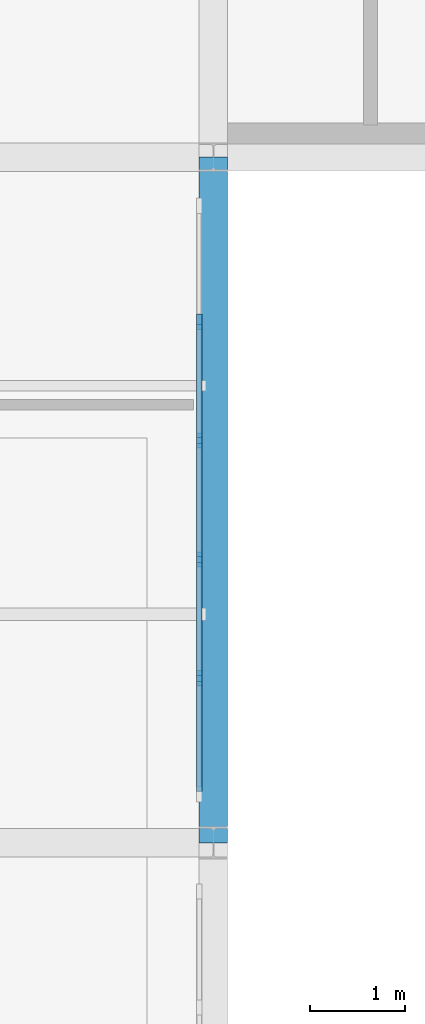
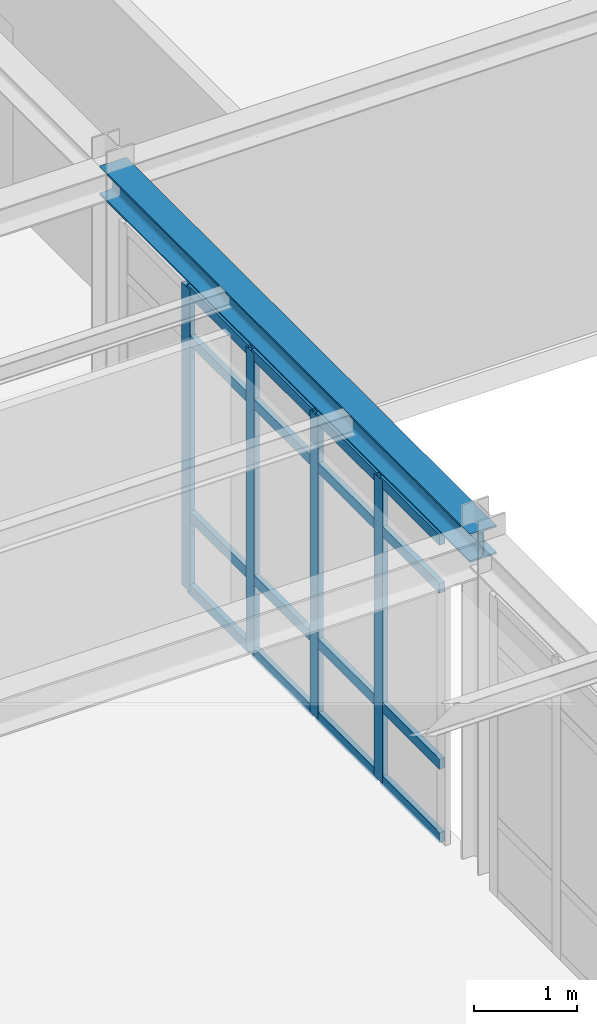
# One storey, part 42 of 90: 20 members, 1 beam, 1 element without a shape of its own.
"""IFC4 building model written with IfcOpenShell, lengths in metres."""

from ifc_helpers import new_model, si_unit, derived_unit, direction, frame, origin, origin_2d, place, context, subcontext, project, spatial, rectangle, i_section, extrude, material, layer, layer_set, material_profile, profile_set, type_object, element, aggregate, save


model = new_model("IFC4")

# Units and contexts
model_context = context("Model", 3, precision=1e-05, world=origin(), true_north=direction((0.0, 1.0)))
body_context = subcontext(model_context, "Body", "Model", "MODEL_VIEW")
ifc_project = project(units=[si_unit("LENGTHUNIT", "METRE"), si_unit("AREAUNIT", "SQUARE_METRE"), si_unit("VOLUMEUNIT", "CUBIC_METRE"), si_unit("PLANEANGLEUNIT", "RADIAN"), si_unit("MASSUNIT", "GRAM", prefix="KILO"), derived_unit("THERMALTRANSMITTANCEUNIT", [(si_unit("POWERUNIT", "WATT"), 1), (si_unit("AREAUNIT", "SQUARE_METRE"), -1), (si_unit("THERMODYNAMICTEMPERATUREUNIT", "KELVIN"), -1)])], contexts=[model_context])

# Site, building, storey
site_placement = place(None, origin())
site = spatial("IfcSite", under=ifc_project, at=site_placement, CompositionType="ELEMENT")
building_placement = place(site_placement, origin())
building = spatial("IfcBuilding", under=site, at=building_placement, Name="Yasenodar Specialist Clinic", CompositionType="ELEMENT")
storey_placement = place(building_placement, frame((0.0, 0.0, 9.0)))
storey = spatial("IfcBuildingStorey", under=building, at=storey_placement, Name="L02", CompositionType="ELEMENT", Elevation=9.0)

# Beam
ifc_material_1 = material(Name="Steel S355", Category="steel")
ifc_material_profile_1 = material_profile(ifc_material_1, i_section(OverallWidth=0.300048828125, OverallDepth=0.340087890625, WebThickness=0.011962890625, FlangeThickness=0.021484375, FilletRadius=0.027099609375, at=origin_2d()), Name="HEB 340")
ifc_profile_set_1 = profile_set([ifc_material_profile_1], Name="Steel S355")
beam_type = type_object("IfcBeamType", Name="BM-HEB340", PredefinedType="BEAM", material=ifc_profile_set_1)
beam_placement = place(storey_placement, frame((16.800048828125, 90.0, 3.780029296875), z_axis=(0.0, 1.0, 0.0), x_axis=(-1.0, 0.0, 0.0)))
element("IfcBeam", 1, at=beam_placement, inside=storey, type_object=beam_type, Name="L02 Primary N-S Girder", PredefinedType="BEAM", context=body_context, shape_type="SweptSolid", body=[
    extrude(i_section(OverallWidth=0.300048828125, OverallDepth=0.340087890625, WebThickness=0.011962890625, FlangeThickness=0.021484375, FilletRadius=0.027099609375, at=origin_2d()), origin(), (0.0, 0.0, 1.0), 7.199951171875),
])

# Curtain wall, members
ifc_material_2 = material(Name="Bronze Anodized Aluminium and Triple Low-E Glass", Category="aluminium")
ifc_layer = layer(ifc_material_2, 0.202880859375)
ifc_layer_set = layer_set([ifc_layer], Name="Bronze Anodized Aluminium and Triple Low-E Glass")
curtain_wall_type = type_object("IfcCurtainWallType", Name="CW-SYS-04", PredefinedType="USERDEFINED", material=ifc_layer_set)
curtain_wall_placement = place(storey_placement, origin())
curtain_wall = element("IfcCurtainWall", 2, at=curtain_wall_placement, inside=storey, type_object=curtain_wall_type, Name="L02 Unitised Curtain Wall 126", ObjectType="UNITISED CURTAIN WALL", PredefinedType="USERDEFINED")
ifc_material_3 = material(Name="Bronze Anodized Aluminium", Category="aluminium")
ifc_material_profile_2 = material_profile(ifc_material_3, rectangle(XDim=0.06005859375, YDim=0.159912109375, at=origin_2d()), Name="CW-MULL 60x160")
ifc_profile_set_2 = profile_set([ifc_material_profile_2], Name="Bronze Anodized Aluminium")
member_type_1 = type_object("IfcMemberType", Name="CW-MULL-160", PredefinedType="MULLION", material=ifc_profile_set_2)
member_1_placement = place(storey_placement, frame((16.64990234375, 95.471923828125, 0.0), z_axis=(0.0, 0.0, 1.0), x_axis=(1.0, 0.0, 0.0)))
member_1 = element("IfcMember", 3, at=member_1_placement, type_object=member_type_1, Name="CW-04 mullion 2", PredefinedType="MULLION", context=body_context, shape_type="SweptSolid", body=[
    extrude(rectangle(XDim=0.06005859375, YDim=0.159912109375, at=origin_2d()), origin(), (0.0, 0.0, 1.0), 3.587890625),
])
member_2_placement = place(storey_placement, frame((16.64990234375, 94.22412109375, 0.0), z_axis=(0.0, 0.0, 1.0), x_axis=(1.0, 0.0, 0.0)))
member_2 = element("IfcMember", 4, at=member_2_placement, type_object=member_type_1, Name="CW-04 mullion 3", PredefinedType="MULLION", context=body_context, shape_type="SweptSolid", body=[
    extrude(rectangle(XDim=0.06005859375, YDim=0.159912109375, at=origin_2d()), origin(), (0.0, 0.0, 1.0), 3.587890625),
])
member_3_placement = place(storey_placement, frame((16.64990234375, 92.97607421875, 0.0), z_axis=(0.0, 0.0, 1.0), x_axis=(1.0, 0.0, 0.0)))
member_3 = element("IfcMember", 5, at=member_3_placement, type_object=member_type_1, Name="CW-04 mullion 4", PredefinedType="MULLION", context=body_context, shape_type="SweptSolid", body=[
    extrude(rectangle(XDim=0.06005859375, YDim=0.159912109375, at=origin_2d()), origin(), (0.0, 0.0, 1.0), 3.587890625),
])
member_4_placement = place(storey_placement, frame((16.64990234375, 91.72802734375, 0.0), z_axis=(0.0, 0.0, 1.0), x_axis=(1.0, 0.0, 0.0)))
member_4 = element("IfcMember", 6, at=member_4_placement, type_object=member_type_1, Name="CW-04 mullion 5", PredefinedType="MULLION", context=body_context, shape_type="SweptSolid", body=[
    extrude(rectangle(XDim=0.06005859375, YDim=0.159912109375, at=origin_2d()), origin(), (0.0, 0.0, 1.0), 3.587890625),
])
ifc_material_profile_3 = material_profile(ifc_material_3, rectangle(XDim=0.06005859375, YDim=0.1201171875, at=origin_2d()), Name="CW-TRAN 60x120")
ifc_profile_set_3 = profile_set([ifc_material_profile_3], Name="Bronze Anodized Aluminium")
member_type_2 = type_object("IfcMemberType", Name="CW-TRAN-120", PredefinedType="USERDEFINED", material=ifc_profile_set_3)
member_5_placement = place(storey_placement, frame((16.64990234375, 95.44189453125, 0.030029296875), z_axis=(0.0, -1.0, 0.0), x_axis=(1.0, 0.0, 0.0)))
member_5 = element("IfcMember", 7, at=member_5_placement, type_object=member_type_2, Name="CW-04 transom 2.1", ObjectType="TRANSOM", PredefinedType="USERDEFINED", context=body_context, shape_type="SweptSolid", body=[
    extrude(rectangle(XDim=0.06005859375, YDim=0.1201171875, at=origin_2d()), origin(), (0.0, 0.0, 1.0), 1.18798828125),
])
member_6_placement = place(storey_placement, frame((16.64990234375, 95.44189453125, 0.89990234375), z_axis=(0.0, -1.0, 0.0), x_axis=(1.0, 0.0, 0.0)))
member_6 = element("IfcMember", 8, at=member_6_placement, type_object=member_type_2, Name="CW-04 transom 2.2", ObjectType="TRANSOM", PredefinedType="USERDEFINED", context=body_context, shape_type="SweptSolid", body=[
    extrude(rectangle(XDim=0.06005859375, YDim=0.1201171875, at=origin_2d()), origin(), (0.0, 0.0, 1.0), 1.18798828125),
])
member_7_placement = place(storey_placement, frame((16.64990234375, 95.44189453125, 2.988037109375), z_axis=(0.0, -1.0, 0.0), x_axis=(1.0, 0.0, 0.0)))
member_7 = element("IfcMember", 9, at=member_7_placement, type_object=member_type_2, Name="CW-04 transom 2.3", ObjectType="TRANSOM", PredefinedType="USERDEFINED", context=body_context, shape_type="SweptSolid", body=[
    extrude(rectangle(XDim=0.06005859375, YDim=0.1201171875, at=origin_2d()), origin(), (0.0, 0.0, 1.0), 1.18798828125),
])
member_8_placement = place(storey_placement, frame((16.64990234375, 95.44189453125, 3.55810546875), z_axis=(0.0, -1.0, 0.0), x_axis=(1.0, 0.0, 0.0)))
member_8 = element("IfcMember", 10, at=member_8_placement, type_object=member_type_2, Name="CW-04 transom 2.4", ObjectType="TRANSOM", PredefinedType="USERDEFINED", context=body_context, shape_type="SweptSolid", body=[
    extrude(rectangle(XDim=0.06005859375, YDim=0.1201171875, at=origin_2d()), origin(), (0.0, 0.0, 1.0), 1.18798828125),
])
member_9_placement = place(storey_placement, frame((16.64990234375, 94.194091796875, 0.030029296875), z_axis=(0.0, -1.0, 0.0), x_axis=(1.0, 0.0, 0.0)))
member_9 = element("IfcMember", 11, at=member_9_placement, type_object=member_type_2, Name="CW-04 transom 3.1", ObjectType="TRANSOM", PredefinedType="USERDEFINED", context=body_context, shape_type="SweptSolid", body=[
    extrude(rectangle(XDim=0.06005859375, YDim=0.1201171875, at=origin_2d()), origin(), (0.0, 0.0, 1.0), 1.18798828125),
])
member_10_placement = place(storey_placement, frame((16.64990234375, 94.194091796875, 0.89990234375), z_axis=(0.0, -1.0, 0.0), x_axis=(1.0, 0.0, 0.0)))
member_10 = element("IfcMember", 12, at=member_10_placement, type_object=member_type_2, Name="CW-04 transom 3.2", ObjectType="TRANSOM", PredefinedType="USERDEFINED", context=body_context, shape_type="SweptSolid", body=[
    extrude(rectangle(XDim=0.06005859375, YDim=0.1201171875, at=origin_2d()), origin(), (0.0, 0.0, 1.0), 1.18798828125),
])
member_11_placement = place(storey_placement, frame((16.64990234375, 94.194091796875, 2.988037109375), z_axis=(0.0, -1.0, 0.0), x_axis=(1.0, 0.0, 0.0)))
member_11 = element("IfcMember", 13, at=member_11_placement, type_object=member_type_2, Name="CW-04 transom 3.3", ObjectType="TRANSOM", PredefinedType="USERDEFINED", context=body_context, shape_type="SweptSolid", body=[
    extrude(rectangle(XDim=0.06005859375, YDim=0.1201171875, at=origin_2d()), origin(), (0.0, 0.0, 1.0), 1.18798828125),
])
member_12_placement = place(storey_placement, frame((16.64990234375, 94.194091796875, 3.55810546875), z_axis=(0.0, -1.0, 0.0), x_axis=(1.0, 0.0, 0.0)))
member_12 = element("IfcMember", 14, at=member_12_placement, type_object=member_type_2, Name="CW-04 transom 3.4", ObjectType="TRANSOM", PredefinedType="USERDEFINED", context=body_context, shape_type="SweptSolid", body=[
    extrude(rectangle(XDim=0.06005859375, YDim=0.1201171875, at=origin_2d()), origin(), (0.0, 0.0, 1.0), 1.18798828125),
])
member_13_placement = place(storey_placement, frame((16.64990234375, 92.946044921875, 0.030029296875), z_axis=(0.0, -1.0, 0.0), x_axis=(1.0, 0.0, 0.0)))
member_13 = element("IfcMember", 15, at=member_13_placement, type_object=member_type_2, Name="CW-04 transom 4.1", ObjectType="TRANSOM", PredefinedType="USERDEFINED", context=body_context, shape_type="SweptSolid", body=[
    extrude(rectangle(XDim=0.06005859375, YDim=0.1201171875, at=origin_2d()), origin(), (0.0, 0.0, 1.0), 1.18798828125),
])
member_14_placement = place(storey_placement, frame((16.64990234375, 92.946044921875, 0.89990234375), z_axis=(0.0, -1.0, 0.0), x_axis=(1.0, 0.0, 0.0)))
member_14 = element("IfcMember", 16, at=member_14_placement, type_object=member_type_2, Name="CW-04 transom 4.2", ObjectType="TRANSOM", PredefinedType="USERDEFINED", context=body_context, shape_type="SweptSolid", body=[
    extrude(rectangle(XDim=0.06005859375, YDim=0.1201171875, at=origin_2d()), origin(), (0.0, 0.0, 1.0), 1.18798828125),
])
member_15_placement = place(storey_placement, frame((16.64990234375, 92.946044921875, 2.988037109375), z_axis=(0.0, -1.0, 0.0), x_axis=(1.0, 0.0, 0.0)))
member_15 = element("IfcMember", 17, at=member_15_placement, type_object=member_type_2, Name="CW-04 transom 4.3", ObjectType="TRANSOM", PredefinedType="USERDEFINED", context=body_context, shape_type="SweptSolid", body=[
    extrude(rectangle(XDim=0.06005859375, YDim=0.1201171875, at=origin_2d()), origin(), (0.0, 0.0, 1.0), 1.18798828125),
])
member_16_placement = place(storey_placement, frame((16.64990234375, 92.946044921875, 3.55810546875), z_axis=(0.0, -1.0, 0.0), x_axis=(1.0, 0.0, 0.0)))
member_16 = element("IfcMember", 18, at=member_16_placement, type_object=member_type_2, Name="CW-04 transom 4.4", ObjectType="TRANSOM", PredefinedType="USERDEFINED", context=body_context, shape_type="SweptSolid", body=[
    extrude(rectangle(XDim=0.06005859375, YDim=0.1201171875, at=origin_2d()), origin(), (0.0, 0.0, 1.0), 1.18798828125),
])
member_17_placement = place(storey_placement, frame((16.64990234375, 91.697998046875, 0.030029296875), z_axis=(0.0, -1.0, 0.0), x_axis=(1.0, 0.0, 0.0)))
member_17 = element("IfcMember", 19, at=member_17_placement, type_object=member_type_2, Name="CW-04 transom 5.1", ObjectType="TRANSOM", PredefinedType="USERDEFINED", context=body_context, shape_type="SweptSolid", body=[
    extrude(rectangle(XDim=0.06005859375, YDim=0.1201171875, at=origin_2d()), origin(), (0.0, 0.0, 1.0), 1.157958984375),
])
member_18_placement = place(storey_placement, frame((16.64990234375, 91.697998046875, 0.89990234375), z_axis=(0.0, -1.0, 0.0), x_axis=(1.0, 0.0, 0.0)))
member_18 = element("IfcMember", 20, at=member_18_placement, type_object=member_type_2, Name="CW-04 transom 5.2", ObjectType="TRANSOM", PredefinedType="USERDEFINED", context=body_context, shape_type="SweptSolid", body=[
    extrude(rectangle(XDim=0.06005859375, YDim=0.1201171875, at=origin_2d()), origin(), (0.0, 0.0, 1.0), 1.157958984375),
])
member_19_placement = place(storey_placement, frame((16.64990234375, 91.697998046875, 2.988037109375), z_axis=(0.0, -1.0, 0.0), x_axis=(1.0, 0.0, 0.0)))
member_19 = element("IfcMember", 21, at=member_19_placement, type_object=member_type_2, Name="CW-04 transom 5.3", ObjectType="TRANSOM", PredefinedType="USERDEFINED", context=body_context, shape_type="SweptSolid", body=[
    extrude(rectangle(XDim=0.06005859375, YDim=0.1201171875, at=origin_2d()), origin(), (0.0, 0.0, 1.0), 1.157958984375),
])
member_20_placement = place(storey_placement, frame((16.64990234375, 91.697998046875, 3.55810546875), z_axis=(0.0, -1.0, 0.0), x_axis=(1.0, 0.0, 0.0)))
member_20 = element("IfcMember", 22, at=member_20_placement, type_object=member_type_2, Name="CW-04 transom 5.4", ObjectType="TRANSOM", PredefinedType="USERDEFINED", context=body_context, shape_type="SweptSolid", body=[
    extrude(rectangle(XDim=0.06005859375, YDim=0.1201171875, at=origin_2d()), origin(), (0.0, 0.0, 1.0), 1.157958984375),
])
aggregate(curtain_wall, [member_1, member_2, member_3, member_4, member_5, member_6, member_7, member_8, member_9, member_10, member_11, member_12, member_13, member_14, member_15, member_16, member_17, member_18, member_19, member_20])

save(model, "model.ifc")
